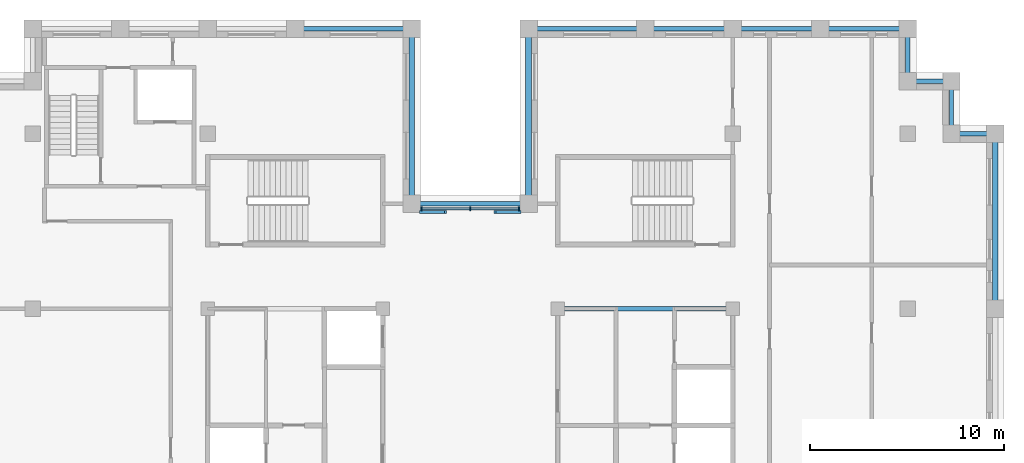
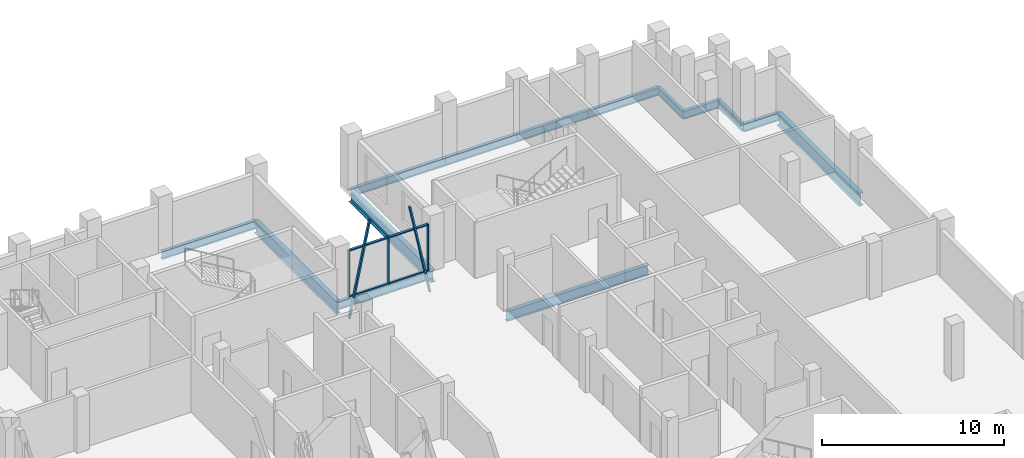
# One storey, part 4 of 13: 14 beams, 9 members, 1 element without a shape of its own.
"""IFC4 building model written with IfcOpenShell, lengths in metres."""

from ifc_helpers import new_model, si_unit, direction, frame, origin, origin_2d, place, context, subcontext, project, spatial, rectangle, i_section, extrude, material, layer, layer_set, material_profile, profile_set, type_object, element, aggregate, save


model = new_model("IFC4")

# Units and contexts
model_context = context("Model", 3, precision=1e-05, world=origin(), true_north=direction((0.0, 1.0)))
body_context = subcontext(model_context, "Body", "Model", "MODEL_VIEW")
ifc_project = project(units=[si_unit("LENGTHUNIT", "METRE"), si_unit("AREAUNIT", "SQUARE_METRE"), si_unit("VOLUMEUNIT", "CUBIC_METRE"), si_unit("PLANEANGLEUNIT", "RADIAN"), si_unit("MASSUNIT", "GRAM", prefix="KILO")], contexts=[model_context])

# Site, building, storey
site_placement = place(None, origin())
site = spatial("IfcSite", under=ifc_project, at=site_placement, CompositionType="ELEMENT")
building_placement = place(site_placement, origin())
building = spatial("IfcBuilding", under=site, at=building_placement, Name="Corbelhall Arena Tower", CompositionType="ELEMENT")
storey_placement = place(building_placement, frame((0.0, 0.0, 312.0)))
storey = spatial("IfcBuildingStorey", under=building, at=storey_placement, Name="L68", CompositionType="ELEMENT", Elevation=312.0)

# Curtain wall, members
ifc_material_1 = material(Name="Aluminium black anodised", Category="aluminium")
ifc_layer = layer(ifc_material_1, 0.199951171875)
ifc_layer_set = layer_set([ifc_layer], Name="EV-CW1 Slot back wall")
curtain_wall_type = type_object("IfcCurtainWallType", Name="EV-CW1 Slot back wall", PredefinedType="NOTDEFINED", material=ifc_layer_set)
curtain_wall_placement = place(storey_placement, origin())
curtain_wall = element("IfcCurtainWall", 1, at=curtain_wall_placement, inside=storey, type_object=curtain_wall_type, Name="Curtain wall CW1", PredefinedType="NOTDEFINED")
ifc_material_profile_1 = material_profile(ifc_material_1, rectangle(XDim=0.199951171875, YDim=0.074951171875, at=origin_2d()))
ifc_profile_set_1 = profile_set([ifc_material_profile_1], Name="Aluminium black anodised")
member_type_1 = type_object("IfcMemberType", Name="EV-CW1-MULLION", PredefinedType="MULLION", material=ifc_profile_set_1)
member_1_placement = place(storey_placement, frame((2.512451171875, 14.14990234375, 0.0), z_axis=(0.0, 0.0, 1.0), x_axis=(0.0, -1.0, 0.0)))
member_1 = element("IfcMember", 2, at=member_1_placement, type_object=member_type_1, Name="CW1 mullion 1", PredefinedType="MULLION", context=body_context, shape_type="SweptSolid", body=[
    extrude(rectangle(XDim=0.199951171875, YDim=0.074951171875, at=origin_2d()), origin(), (0.0, 0.0, 1.0), 3.139892578125),
])
member_2_placement = place(storey_placement, frame((0.0, 14.14990234375, 0.0), z_axis=(0.0, 0.0, 1.0), x_axis=(0.0, -1.0, 0.0)))
member_2 = element("IfcMember", 3, at=member_2_placement, type_object=member_type_1, Name="CW1 mullion 2", PredefinedType="MULLION", context=body_context, shape_type="SweptSolid", body=[
    extrude(rectangle(XDim=0.199951171875, YDim=0.074951171875, at=origin_2d()), origin(), (0.0, 0.0, 1.0), 3.139892578125),
])
member_3_placement = place(storey_placement, frame((-2.512451171875, 14.14990234375, 0.0), z_axis=(0.0, 0.0, 1.0), x_axis=(0.0, -1.0, 0.0)))
member_3 = element("IfcMember", 4, at=member_3_placement, type_object=member_type_1, Name="CW1 mullion 3", PredefinedType="MULLION", context=body_context, shape_type="SweptSolid", body=[
    extrude(rectangle(XDim=0.199951171875, YDim=0.074951171875, at=origin_2d()), origin(), (0.0, 0.0, 1.0), 3.139892578125),
])
ifc_material_profile_2 = material_profile(ifc_material_1, rectangle(XDim=0.14990234375, YDim=0.074951171875, at=origin_2d()))
ifc_profile_set_2 = profile_set([ifc_material_profile_2], Name="Aluminium black anodised")
member_type_2 = type_object("IfcMemberType", Name="EV-CW1-TRANSOM", PredefinedType="USERDEFINED", material=ifc_profile_set_2)
member_4_placement = place(storey_placement, frame((2.47509765625, 14.14990234375, 0.03759765625), z_axis=(-1.0, 0.0, 0.0), x_axis=(0.0, -1.0, 0.0)))
member_4 = element("IfcMember", 5, at=member_4_placement, type_object=member_type_2, Name="CW1 transom 1.1", ObjectType="transom", PredefinedType="USERDEFINED", context=body_context, shape_type="SweptSolid", body=[
    extrude(rectangle(XDim=0.14990234375, YDim=0.074951171875, at=origin_2d()), origin(), (0.0, 0.0, 1.0), 2.4375),
])
member_5_placement = place(storey_placement, frame((2.47509765625, 14.14990234375, 3.1025390625), z_axis=(-1.0, 0.0, 0.0), x_axis=(0.0, -1.0, 0.0)))
member_5 = element("IfcMember", 6, at=member_5_placement, type_object=member_type_2, Name="CW1 transom 1.2", ObjectType="transom", PredefinedType="USERDEFINED", context=body_context, shape_type="SweptSolid", body=[
    extrude(rectangle(XDim=0.14990234375, YDim=0.074951171875, at=origin_2d()), origin(), (0.0, 0.0, 1.0), 2.4375),
])
member_6_placement = place(storey_placement, frame((-0.03759765625, 14.14990234375, 0.03759765625), z_axis=(-1.0, 0.0, 0.0), x_axis=(0.0, -1.0, 0.0)))
member_6 = element("IfcMember", 7, at=member_6_placement, type_object=member_type_2, Name="CW1 transom 2.1", ObjectType="transom", PredefinedType="USERDEFINED", context=body_context, shape_type="SweptSolid", body=[
    extrude(rectangle(XDim=0.14990234375, YDim=0.074951171875, at=origin_2d()), origin(), (0.0, 0.0, 1.0), 2.4375),
])
member_7_placement = place(storey_placement, frame((-0.03759765625, 14.14990234375, 3.1025390625), z_axis=(-1.0, 0.0, 0.0), x_axis=(0.0, -1.0, 0.0)))
member_7 = element("IfcMember", 8, at=member_7_placement, type_object=member_type_2, Name="CW1 transom 2.2", ObjectType="transom", PredefinedType="USERDEFINED", context=body_context, shape_type="SweptSolid", body=[
    extrude(rectangle(XDim=0.14990234375, YDim=0.074951171875, at=origin_2d()), origin(), (0.0, 0.0, 1.0), 2.4375),
])
aggregate(curtain_wall, [member_1, member_2, member_3, member_4, member_5, member_6, member_7])

# Members
ifc_material_profile_3 = material_profile(ifc_material_1, rectangle(XDim=0.159912109375, YDim=0.10009765625, at=origin_2d()))
ifc_profile_set_3 = profile_set([ifc_material_profile_3], Name="Aluminium black anodised")
member_type_3 = type_object("IfcMemberType", Name="EV-TR1 Tracery bar", PredefinedType="USERDEFINED", material=ifc_profile_set_3)
for number, where, z_axis, x_axis, name in (
    (9, (2.550048828125, 13.969970703125, -1.307373046875), (-0.204144671158, 0.0, 0.978940730197), (0.0, -1.0, 0.0), "Tracery bar"),
    (10, (-1.27490234375, 13.969970703125, 4.807373046875), (-0.204144671158, 0.0, -0.978940730197), (0.0, -1.0, 0.0), "Tracery bar"),
):
    element("IfcMember", number, at=place(storey_placement, frame(where, z_axis=z_axis, x_axis=x_axis)), inside=storey, type_object=member_type_3, Name=name, ObjectType="TRACERY", PredefinedType="USERDEFINED", context=body_context, shape_type="SweptSolid", body=[
        extrude(rectangle(XDim=0.159912109375, YDim=0.10009765625, at=origin_2d()), origin(), (0.0, 0.0, 1.0), 6.246337890625),
    ])

# Beams
ifc_material_2 = material(Name="Steel ASTM A992 Gr50", Category="steel")
ifc_material_profile_4 = material_profile(ifc_material_2, i_section(OverallWidth=0.25390625, OverallDepth=0.67822265625, WebThickness=0.01171875, FlangeThickness=0.016357421875, at=origin_2d()))
ifc_profile_set_4 = profile_set([ifc_material_profile_4], Name="Steel ASTM A992 Gr50")
beam_type_1 = type_object("IfcBeamType", Name="ST-BEAM-W27x84", PredefinedType="BEAM", material=ifc_profile_set_4)
beam_1_placement = place(storey_placement, frame((4.5, 9.0, -0.59912109375), z_axis=(1.0, 0.0, 0.0), x_axis=(0.0, 1.0, 0.0)))
element("IfcBeam", 11, at=beam_1_placement, inside=storey, type_object=beam_type_1, Name="Beam CEE 12", PredefinedType="BEAM", context=body_context, shape_type="SweptSolid", body=[
    extrude(i_section(OverallWidth=0.25390625, OverallDepth=0.67822265625, WebThickness=0.01171875, FlangeThickness=0.016357421875, at=origin_2d()), origin(), (0.0, 0.0, 1.0), 9.0),
])
ifc_material_profile_5 = material_profile(ifc_material_2, i_section(OverallWidth=0.209228515625, OverallDepth=0.533447265625, WebThickness=0.01025390625, FlangeThickness=0.015625, at=origin_2d()))
ifc_profile_set_5 = profile_set([ifc_material_profile_5], Name="Steel ASTM A992 Gr50")
beam_type_2 = type_object("IfcBeamType", Name="ST-SPANDREL-W21x62", PredefinedType="SPANDREL", material=ifc_profile_set_5)
beam_2_placement = place(storey_placement, frame((3.0, 23.39990234375, -0.526611328125), z_axis=(1.0, 0.0, 0.0), x_axis=(0.0, 1.0, 0.0)))
element("IfcBeam", 12, at=beam_2_placement, inside=storey, type_object=beam_type_2, Name="Beam SP 6", PredefinedType="SPANDREL", context=body_context, shape_type="SweptSolid", body=[
    extrude(i_section(OverallWidth=0.209228515625, OverallDepth=0.533447265625, WebThickness=0.01025390625, FlangeThickness=0.015625, at=origin_2d()), origin(), (0.0, 0.0, 1.0), 6.0),
])
for number, where, z_axis, x_axis, name in (
    (13, (9.0, 23.39990234375, -0.526611328125), (1.0, 0.0, 0.0), (0.0, 1.0, 0.0), "Beam SP 7"),
    (14, (13.5, 23.39990234375, -0.526611328125), (1.0, 0.0, 0.0), (0.0, 1.0, 0.0), "Beam SP 8"),
    (15, (18.0, 23.39990234375, -0.526611328125), (1.0, 0.0, 0.0), (0.0, 1.0, 0.0), "Beam SP 9"),
):
    element("IfcBeam", number, at=place(storey_placement, frame(where, z_axis=z_axis, x_axis=x_axis)), inside=storey, type_object=beam_type_2, Name=name, PredefinedType="SPANDREL", context=body_context, shape_type="SweptSolid", body=[
        extrude(i_section(OverallWidth=0.209228515625, OverallDepth=0.533447265625, WebThickness=0.01025390625, FlangeThickness=0.015625, at=origin_2d()), origin(), (0.0, 0.0, 1.0), 4.5),
    ])
beam_3_placement = place(storey_placement, frame((22.5, 23.39990234375, -0.526611328125), z_axis=(0.0, -1.0, 0.0), x_axis=(1.0, 0.0, 0.0)))
element("IfcBeam", 16, at=beam_3_placement, inside=storey, type_object=beam_type_2, Name="Beam SP 10", PredefinedType="SPANDREL", context=body_context, shape_type="SweptSolid", body=[
    extrude(i_section(OverallWidth=0.209228515625, OverallDepth=0.533447265625, WebThickness=0.01025390625, FlangeThickness=0.015625, at=origin_2d()), origin(), (0.0, 0.0, 1.0), 2.699951171875),
])
for number, where, z_axis, x_axis, name in (
    (17, (-9.0, 23.39990234375, -0.526611328125), (1.0, 0.0, 0.0), (0.0, 1.0, 0.0), "Beam SP 12"),
    (18, (-3.0, 14.39990234375, -0.526611328125), (1.0, 0.0, 0.0), (0.0, 1.0, 0.0), "Beam SP 32"),
):
    element("IfcBeam", number, at=place(storey_placement, frame(where, z_axis=z_axis, x_axis=x_axis)), inside=storey, type_object=beam_type_2, Name=name, PredefinedType="SPANDREL", context=body_context, shape_type="SweptSolid", body=[
        extrude(i_section(OverallWidth=0.209228515625, OverallDepth=0.533447265625, WebThickness=0.01025390625, FlangeThickness=0.015625, at=origin_2d()), origin(), (0.0, 0.0, 1.0), 6.0),
    ])
beam_4_placement = place(storey_placement, frame((22.5, 20.699951171875, -0.526611328125), z_axis=(1.0, 0.0, 0.0), x_axis=(0.0, 1.0, 0.0)))
element("IfcBeam", 19, at=beam_4_placement, inside=storey, type_object=beam_type_2, Name="Beam SP 35", PredefinedType="SPANDREL", context=body_context, shape_type="SweptSolid", body=[
    extrude(i_section(OverallWidth=0.209228515625, OverallDepth=0.533447265625, WebThickness=0.01025390625, FlangeThickness=0.015625, at=origin_2d()), origin(), (0.0, 0.0, 1.0), 2.25),
])
beam_5_placement = place(storey_placement, frame((24.75, 20.699951171875, -0.526611328125), z_axis=(0.0, -1.0, 0.0), x_axis=(1.0, 0.0, 0.0)))
element("IfcBeam", 20, at=beam_5_placement, inside=storey, type_object=beam_type_2, Name="Beam SP 36", PredefinedType="SPANDREL", context=body_context, shape_type="SweptSolid", body=[
    extrude(i_section(OverallWidth=0.209228515625, OverallDepth=0.533447265625, WebThickness=0.01025390625, FlangeThickness=0.015625, at=origin_2d()), origin(), (0.0, 0.0, 1.0), 2.699951171875),
])
beam_6_placement = place(storey_placement, frame((24.75, 18.0, -0.526611328125), z_axis=(1.0, 0.0, 0.0), x_axis=(0.0, 1.0, 0.0)))
element("IfcBeam", 21, at=beam_6_placement, inside=storey, type_object=beam_type_2, Name="Beam SP 37", PredefinedType="SPANDREL", context=body_context, shape_type="SweptSolid", body=[
    extrude(i_section(OverallWidth=0.209228515625, OverallDepth=0.533447265625, WebThickness=0.01025390625, FlangeThickness=0.015625, at=origin_2d()), origin(), (0.0, 0.0, 1.0), 2.25),
])
ifc_material_profile_6 = material_profile(ifc_material_2, i_section(OverallWidth=0.2919921875, OverallDepth=0.845703125, WebThickness=0.015380859375, FlangeThickness=0.0244140625, at=origin_2d()))
ifc_profile_set_6 = profile_set([ifc_material_profile_6], Name="Steel ASTM A992 Gr50")
beam_type_3 = type_object("IfcBeamType", Name="ST-SPANDREL-W33x141", PredefinedType="SPANDREL", material=ifc_profile_set_6)
for number, where, z_axis, x_axis, name in (
    (22, (27.0, 18.0, -0.682861328125), (0.0, -1.0, 0.0), (1.0, 0.0, 0.0), "Beam SP 3"),
    (23, (-3.0, 23.39990234375, -0.682861328125), (0.0, -1.0, 0.0), (1.0, 0.0, 0.0), "Beam SP 11"),
    (24, (3.0, 14.39990234375, -0.682861328125), (0.0, 1.0, 0.0), (-1.0, 0.0, 0.0), "Beam SP 31"),
):
    element("IfcBeam", number, at=place(storey_placement, frame(where, z_axis=z_axis, x_axis=x_axis)), inside=storey, type_object=beam_type_3, Name=name, PredefinedType="SPANDREL", context=body_context, shape_type="SweptSolid", body=[
        extrude(i_section(OverallWidth=0.2919921875, OverallDepth=0.845703125, WebThickness=0.015380859375, FlangeThickness=0.0244140625, at=origin_2d()), origin(), (0.0, 0.0, 1.0), 9.0),
    ])

save(model, "model.ifc")
